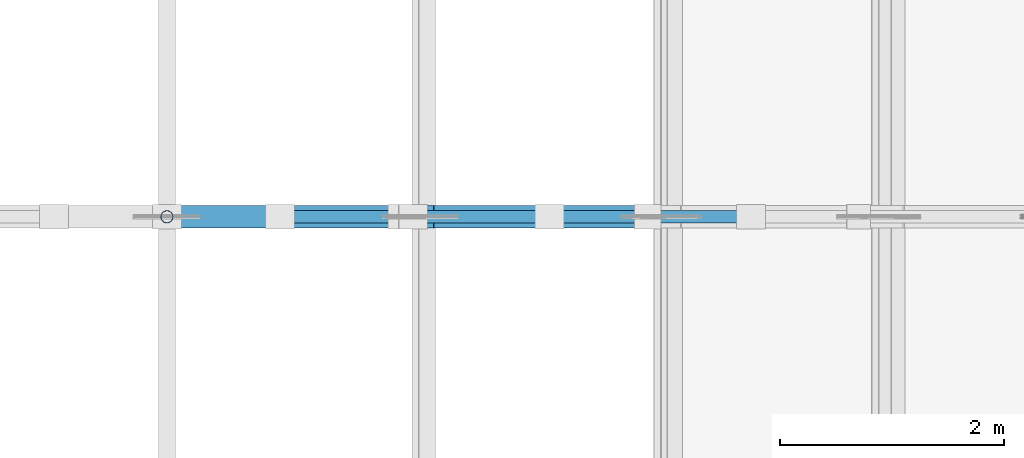
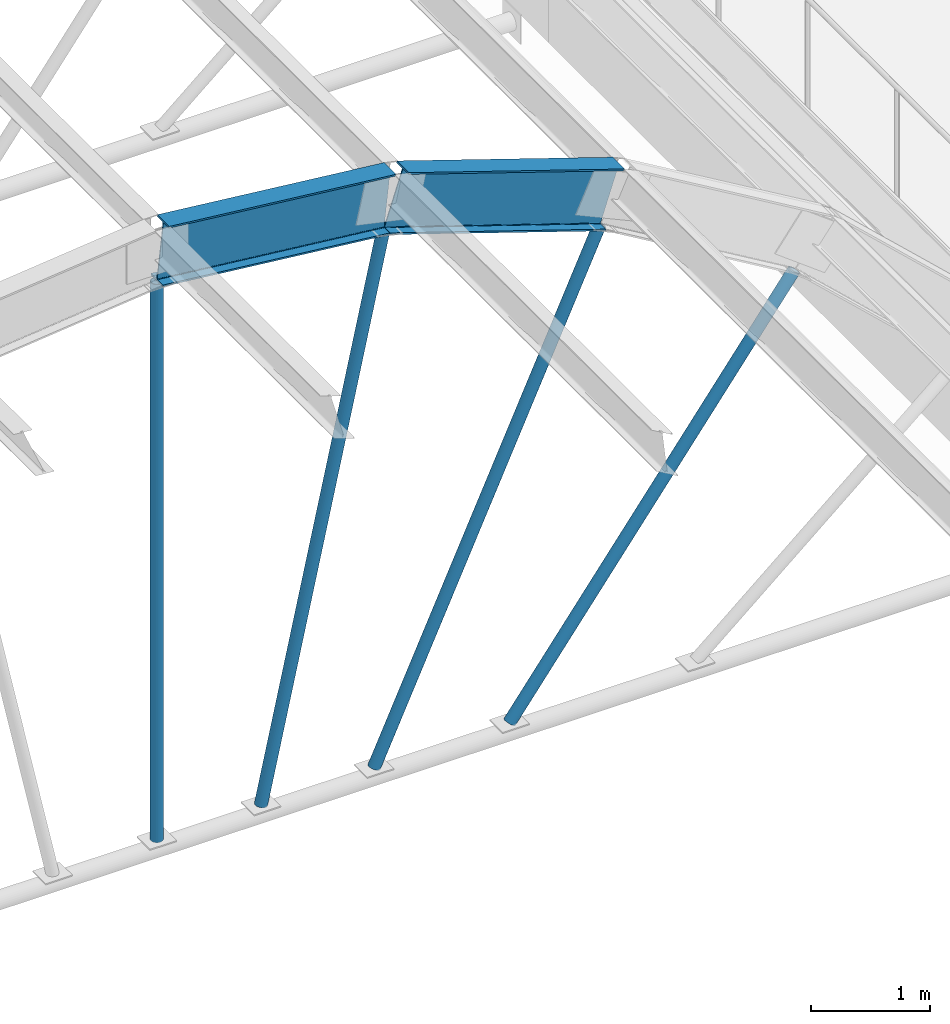
# One storey, part 12 of 79: 4 members, 2 beams.
"""IFC4 building model written with IfcOpenShell, lengths in metres."""

from ifc_helpers import new_model, si_unit, direction, frame, origin, origin_2d, place, context, subcontext, project, spatial, hollow_circle, i_section, extrude, material, material_profile, profile_set, type_object, element, save


model = new_model("IFC4")

# Units and contexts
model_context = context("Model", 3, precision=1e-05, world=origin(), true_north=direction((0.0, 1.0)))
body_context = subcontext(model_context, "Body", "Model", "MODEL_VIEW")
ifc_project = project(units=[si_unit("LENGTHUNIT", "METRE"), si_unit("AREAUNIT", "SQUARE_METRE"), si_unit("VOLUMEUNIT", "CUBIC_METRE"), si_unit("PLANEANGLEUNIT", "RADIAN"), si_unit("MASSUNIT", "GRAM", prefix="KILO")], contexts=[model_context])

# Site, building, storey
site_placement = place(None, origin())
site = spatial("IfcSite", under=ifc_project, at=site_placement, CompositionType="ELEMENT")
building_placement = place(site_placement, origin())
building = spatial("IfcBuilding", under=site, at=building_placement, Name="Guidao Yard Department Store", CompositionType="ELEMENT")
storey_placement = place(building_placement, frame((0.0, 0.0, 15.0)))
storey = spatial("IfcBuildingStorey", under=building, at=storey_placement, Name="L03", CompositionType="ELEMENT", Elevation=15.0)

# Members
ifc_material_1 = material(Name="Steel Q355B", Category="steel")
ifc_material_profile_1 = material_profile(ifc_material_1, hollow_circle(Radius=0.056884765625, WallThickness=0.006103515625, at=origin_2d()), Name="CHS 114x6")
ifc_profile_set_1 = profile_set([ifc_material_profile_1], Name="Steel Q355B")
member_type = type_object("IfcMemberType", Name="CHS 114x6", PredefinedType="BRACE", material=ifc_profile_set_1)
member_1_placement = place(storey_placement, frame((90.0, 54.0, -0.360107421875), z_axis=(0.0, 0.0, 1.0), x_axis=(1.0, 0.0, 0.0)))
element("IfcMember", 1, at=member_1_placement, inside=storey, type_object=member_type, Name="Roof web strut C02-05", PredefinedType="BRACE", context=body_context, shape_type="SweptSolid", body=[
    extrude(hollow_circle(Radius=0.056884765625, WallThickness=0.006103515625, at=origin_2d()), origin(), (0.0, 0.0, 1.0), 5.72705078125),
])
member_2_placement = place(storey_placement, frame((91.01123046875, 54.0, -0.360107421875), z_axis=(0.211899287995, 0.0, 0.977291508071), x_axis=(0.0, 1.0, 0.0)))
element("IfcMember", 2, at=member_2_placement, inside=storey, type_object=member_type, Name="Roof web strut C02-06", PredefinedType="BRACE", context=body_context, shape_type="SweptSolid", body=[
    extrude(hollow_circle(Radius=0.056884765625, WallThickness=0.006103515625, at=origin_2d()), origin(), (0.0, 0.0, 1.0), 5.619140625),
])
member_3_placement = place(storey_placement, frame((92.109130859375, 54.0, -0.360107421875), z_axis=(0.415142377249, 0.0, 0.909756454559), x_axis=(0.0, 1.0, 0.0)))
element("IfcMember", 3, at=member_3_placement, inside=storey, type_object=member_type, Name="Roof web strut C02-07", PredefinedType="BRACE", context=body_context, shape_type="SweptSolid", body=[
    extrude(hollow_circle(Radius=0.056884765625, WallThickness=0.006103515625, at=origin_2d()), origin(), (0.0, 0.0, 1.0), 5.271728515625),
])
member_4_placement = place(storey_placement, frame((93.424072265625, 54.0, -0.360107421875), z_axis=(0.600934318152, 0.0, 0.799298408147), x_axis=(0.0, 1.0, 0.0)))
element("IfcMember", 4, at=member_4_placement, inside=storey, type_object=member_type, Name="Roof web strut C02-08", PredefinedType="BRACE", context=body_context, shape_type="SweptSolid", body=[
    extrude(hollow_circle(Radius=0.056884765625, WallThickness=0.006103515625, at=origin_2d()), origin(), (0.0, 0.0, 1.0), 4.596923828125),
])

# Beams
ifc_material_2 = material(Name="Steel Q355B", Category="steel")
ifc_material_profile_2 = material_profile(ifc_material_2, i_section(OverallWidth=0.199951171875, OverallDepth=0.60009765625, WebThickness=0.010986328125, FlangeThickness=0.01708984375, FilletRadius=0.012939453125, at=origin_2d()), Name="HN 600x200x11x17")
ifc_profile_set_2 = profile_set([ifc_material_profile_2], Name="Steel Q355B")
beam_type = type_object("IfcBeamType", Name="HN 600x200x11x17", PredefinedType="BEAM", material=ifc_profile_set_2)
beam_1_placement = place(storey_placement, frame((90.031982421875, 54.0, 5.665283203125), z_axis=(0.994311656362, 0.0, -0.10650976492), x_axis=(0.0, 1.0, 0.0)))
element("IfcBeam", 5, at=beam_1_placement, inside=storey, type_object=beam_type, Name="Roof rib C02-06", PredefinedType="BEAM", context=body_context, shape_type="SweptSolid", body=[
    extrude(i_section(OverallWidth=0.199951171875, OverallDepth=0.60009765625, WebThickness=0.010986328125, FlangeThickness=0.01708984375, FilletRadius=0.012939453125, at=origin_2d()), origin(), (0.0, 0.0, 1.0), 2.21435546875),
])
beam_2_placement = place(storey_placement, frame((92.29638671875, 54.0, 5.416015625), z_axis=(0.949091595418, 0.0, -0.31500022779), x_axis=(0.0, 1.0, 0.0)))
element("IfcBeam", 6, at=beam_2_placement, inside=storey, type_object=beam_type, Name="Roof rib C02-07", PredefinedType="BEAM", context=body_context, shape_type="SweptSolid", body=[
    extrude(i_section(OverallWidth=0.199951171875, OverallDepth=0.60009765625, WebThickness=0.010986328125, FlangeThickness=0.01708984375, FilletRadius=0.012939453125, at=origin_2d()), origin(), (0.0, 0.0, 1.0), 2.2080078125),
])

save(model, "model.ifc")
